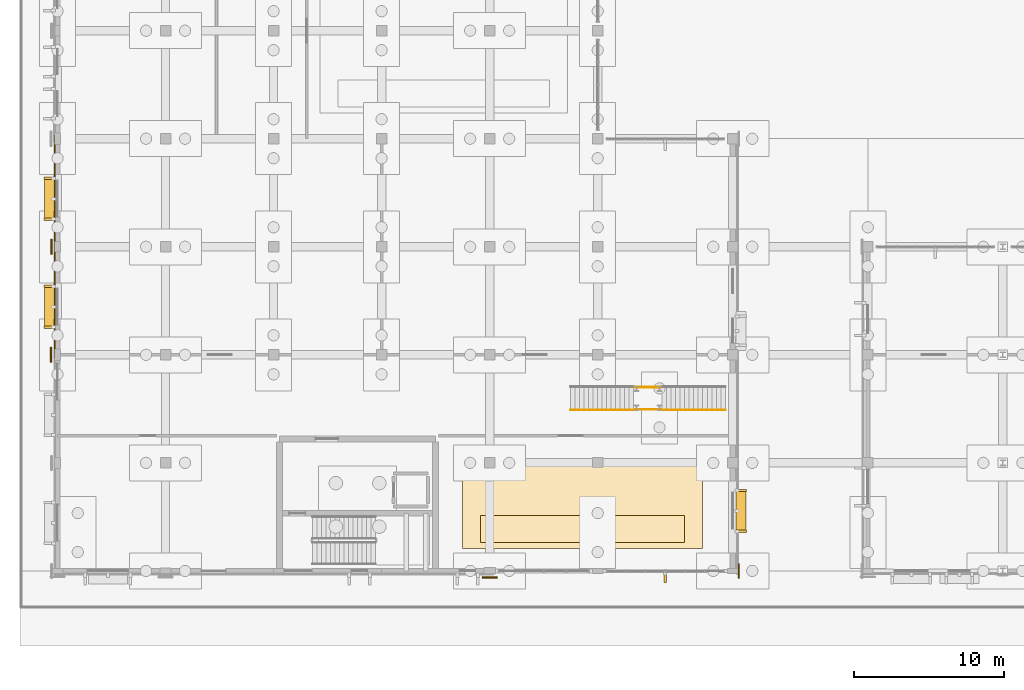
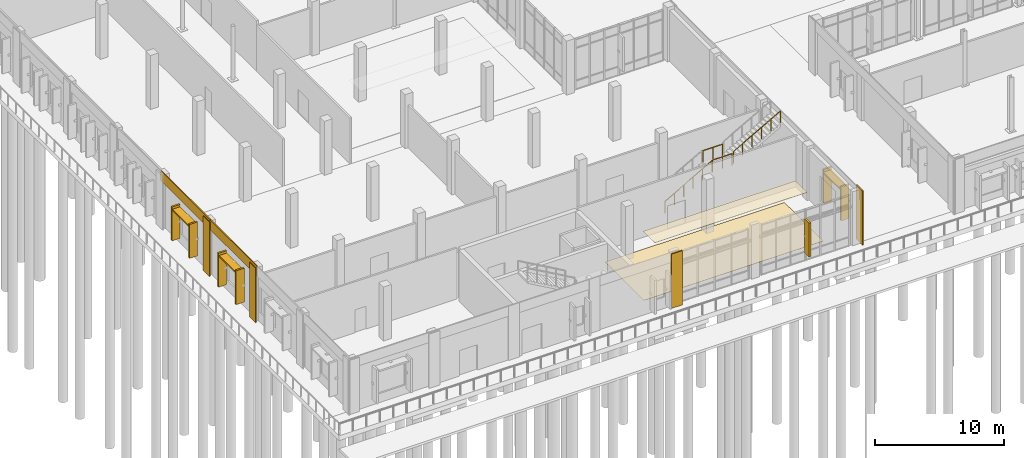
# One storey, part 79 of 94: 10 shading devices, 8 coverings, 4 railings.
"""IFC4 building model written with IfcOpenShell, lengths in metres."""

from ifc_helpers import new_model, si_unit, direction, frame, origin, origin_2d, place, context, subcontext, project, spatial, polyline, rectangle, circle, outline, extrude, material, layer, layer_set, type_object, element, save


model = new_model("IFC4")

# Units and contexts
model_context = context("Model", 3, precision=1e-05, world=origin(), true_north=direction((0.0, 1.0)))
body_context = subcontext(model_context, "Body", "Model", "MODEL_VIEW")
ifc_project = project(units=[si_unit("LENGTHUNIT", "METRE"), si_unit("AREAUNIT", "SQUARE_METRE"), si_unit("VOLUMEUNIT", "CUBIC_METRE"), si_unit("PLANEANGLEUNIT", "RADIAN"), si_unit("MASSUNIT", "GRAM", prefix="KILO")], contexts=[model_context])

# Site, building, storey
site_placement = place(None, origin())
site = spatial("IfcSite", under=ifc_project, at=site_placement, CompositionType="ELEMENT")
building_placement = place(site_placement, origin())
building = spatial("IfcBuilding", under=site, at=building_placement, Name="Vervanel Yard Central Library", CompositionType="ELEMENT")
storey_placement = place(building_placement, origin())
storey = spatial("IfcBuildingStorey", under=building, at=storey_placement, Name="L00", CompositionType="ELEMENT", Elevation=0.0)

# Coverings
ifc_material_1 = material(Name="Precast concrete C45/55", Category="concrete")
ifc_layer_1 = layer(ifc_material_1, 0.0849609375, Category="concrete")
ifc_layer_set_1 = layer_set([ifc_layer_1], Name="Precast concrete C45/55")
covering_type_1 = type_object("IfcCoveringType", Name="Bush-Hammered Precast Architectural Cladding Panel", PredefinedType="CLADDING", material=ifc_layer_set_1)
for number, where, z_axis, x_axis, name in (
    (1, (28.800048828125, -0.4326171875, 0.0), (0.0, 0.0, 1.0), (1.0, 0.0, 0.0), "L00 Precast Concrete Pier Pilaster EWALL-L00-0216-B"),
    (2, (-0.4326171875, 14.39990234375, 0.0), (0.0, 0.0, 1.0), (0.0, 1.0, 0.0), "L00 Precast Concrete Pier Pilaster EWALL-L00-0218-B"),
):
    element("IfcCovering", number, at=place(storey_placement, frame(where, z_axis=z_axis, x_axis=x_axis)), inside=storey, type_object=covering_type_1, Name=name, PredefinedType="CLADDING", context=body_context, shape_type="SweptSolid", body=[
        extrude(rectangle(XDim=0.97998046875, YDim=0.0849609375, at=origin_2d()), origin(), (0.0, 0.0, 1.0), 5.1201171875),
    ])
covering_1_placement = place(storey_placement, frame((-0.18994140625, 18.0, 4.179931640625), z_axis=(0.0, 0.0, 1.0), x_axis=(0.0, 1.0, 0.0)))
element("IfcCovering", 3, at=covering_1_placement, inside=storey, type_object=covering_type_1, Name="L00 Precast Concrete Spandrel Cornice EWALL-L00-0219", PredefinedType="CLADDING", context=body_context, shape_type="SweptSolid", body=[
    extrude(rectangle(XDim=7.64990234375, YDim=0.0849609375, at=origin_2d()), origin(), (0.0, 0.0, 1.0), 0.93994140625),
])
covering_2_placement = place(storey_placement, frame((-0.402587890625, 21.60009765625, 0.0), z_axis=(0.0, 0.0, 1.0), x_axis=(0.0, 1.0, 0.0)))
element("IfcCovering", 4, at=covering_2_placement, inside=storey, type_object=covering_type_1, Name="L00 Precast Concrete Pier Pilaster EWALL-L00-0219-B", PredefinedType="CLADDING", context=body_context, shape_type="SweptSolid", body=[
    extrude(rectangle(XDim=0.97998046875, YDim=0.0849609375, at=origin_2d()), origin(), (0.0, 0.0, 1.0), 5.1201171875),
])
covering_3_placement = place(storey_placement, frame((-0.18994140625, 25.199951171875, 4.179931640625), z_axis=(0.0, 0.0, 1.0), x_axis=(0.0, 1.0, 0.0)))
element("IfcCovering", 5, at=covering_3_placement, inside=storey, type_object=covering_type_1, Name="L00 Precast Concrete Spandrel Cornice EWALL-L00-0220", PredefinedType="CLADDING", context=body_context, shape_type="SweptSolid", body=[
    extrude(rectangle(XDim=7.64990234375, YDim=0.0849609375, at=origin_2d()), origin(), (0.0, 0.0, 1.0), 0.93994140625),
])
covering_4_placement = place(storey_placement, frame((45.392578125, 0.0, 0.0), z_axis=(0.0, 0.0, 1.0), x_axis=(0.0, 1.0, 0.0)))
element("IfcCovering", 6, at=covering_4_placement, inside=storey, type_object=covering_type_1, Name="L00 Precast Concrete Pier Pilaster EWALL-L00-0221-A", PredefinedType="CLADDING", context=body_context, shape_type="SweptSolid", body=[
    extrude(rectangle(XDim=0.97998046875, YDim=0.0849609375, at=origin_2d()), origin(), (0.0, 0.0, 1.0), 5.1201171875),
])

# Shading devices
shading_device_type_1 = type_object("IfcShadingDeviceType", Name="Horizontal Precast Brise-Soleil Sunhood 2600x680x140", PredefinedType="JALOUSIE", material=ifc_material_1)
for number, where, z_axis, x_axis, name in (
    (7, (-0.52001953125, 17.60009765625, 3.330078125), (0.0, 0.0, 1.0), (0.0, 1.0, 0.0), "L00 Precast Horizontal Sunhood 124"),
    (8, (-0.52001953125, 24.800048828125, 3.330078125), (0.0, 0.0, 1.0), (0.0, 1.0, 0.0), "L00 Precast Horizontal Sunhood 125"),
    (9, (45.5400390625, 4.0, 3.330078125), (0.0, 0.0, 1.0), (0.0, 1.0, 0.0), "L00 Precast Horizontal Sunhood 126"),
):
    element("IfcShadingDevice", number, at=place(storey_placement, frame(where, z_axis=z_axis, x_axis=x_axis)), inside=storey, type_object=shading_device_type_1, Name=name, PredefinedType="JALOUSIE", context=body_context, shape_type="SweptSolid", body=[
        extrude(rectangle(XDim=2.60009765625, YDim=0.679931640625, at=origin_2d()), origin(), (0.0, 0.0, 1.0), 0.139892578125),
    ])

# Railings
ifc_material_2 = material(Name="Galvanized painted steelwork ASTM A500 Grade C", Category="steel")
railing_type = type_object("IfcRailingType", Name="Painted Steel Guardrail 1100", PredefinedType="GUARDRAIL", material=ifc_material_2)
for number, where, name in (
    (10, (34.199951171875, 10.72509765625, 0.169921875), "L00 Feature Stair Guard FST-07-L00 F1 R"),
    (11, (40.300048828125, 10.72509765625, 2.719970703125), "L00 Feature Stair Guard FST-07-L00 F2 R"),
):
    element("IfcRailing", number, at=place(storey_placement, frame(where)), inside=storey, type_object=railing_type, Name=name, PredefinedType="GUARDRAIL", context=body_context, shape_type="SweptSolid", body=[
        extrude(circle(Radius=0.02392578125, at=origin_2d()), frame((0.0, 0.0, 1.076171875), z_axis=(0.870008446991, 0.0, 0.493036816236), x_axis=(0.0, 1.0, 0.0)), (0.0, 0.0, 1.0), 4.827392578125),
        extrude(circle(Radius=0.02099609375, at=origin_2d()), origin(), (0.0, 0.0, 1.0), 1.052001953125),
        extrude(circle(Radius=0.02099609375, at=origin_2d()), frame((0.840087890625, 0.0, 0.47607421875)), (0.0, 0.0, 1.0), 1.052001953125),
        extrude(circle(Radius=0.02099609375, at=origin_2d()), frame((1.679931640625, 0.0, 0.9521484375)), (0.0, 0.0, 1.0), 1.052001953125),
        extrude(circle(Radius=0.02099609375, at=origin_2d()), frame((2.52001953125, 0.0, 1.427978515625)), (0.0, 0.0, 1.0), 1.052001953125),
        extrude(circle(Radius=0.02099609375, at=origin_2d()), frame((3.35986328125, 0.0, 1.904052734375)), (0.0, 0.0, 1.0), 1.052001953125),
        extrude(circle(Radius=0.02099609375, at=origin_2d()), frame((4.199951171875, 0.0, 2.380126953125)), (0.0, 0.0, 1.0), 1.052001953125),
    ])
railing_1_placement = place(storey_placement, frame((38.47998046875, 10.764892578125, 2.550048828125)))
element("IfcRailing", 12, at=railing_1_placement, inside=storey, type_object=railing_type, Name="L00 Void Guard FST-07-L00-LDG1 S", PredefinedType="GUARDRAIL", context=body_context, shape_type="SweptSolid", body=[
    extrude(circle(Radius=0.02392578125, at=origin_2d()), frame((0.0, 0.0, 1.076171875), z_axis=(1.0, 0.0, 0.0), x_axis=(0.0, 1.0, 0.0)), (0.0, 0.0, 1.0), 1.739990234375),
    extrude(circle(Radius=0.02099609375, at=origin_2d()), origin(), (0.0, 0.0, 1.0), 1.052001953125),
    extrude(circle(Radius=0.02099609375, at=origin_2d()), frame((0.8701171875, 0.0, 0.0)), (0.0, 0.0, 1.0), 1.052001953125),
    extrude(circle(Radius=0.02099609375, at=origin_2d()), frame((1.739990234375, 0.0, 0.0)), (0.0, 0.0, 1.0), 1.052001953125),
])
railing_2_placement = place(storey_placement, frame((40.219970703125, 12.235107421875, 2.550048828125)))
element("IfcRailing", 13, at=railing_2_placement, inside=storey, type_object=railing_type, Name="L00 Void Guard FST-07-L00-LDG1 N", PredefinedType="GUARDRAIL", context=body_context, shape_type="SweptSolid", body=[
    extrude(circle(Radius=0.02392578125, at=origin_2d()), frame((0.0, 0.0, 1.076171875), z_axis=(-1.0, 0.0, 0.0), x_axis=(0.0, -1.0, 0.0)), (0.0, 0.0, 1.0), 1.739990234375),
    extrude(circle(Radius=0.02099609375, at=origin_2d()), origin(), (0.0, 0.0, 1.0), 1.052001953125),
    extrude(circle(Radius=0.02099609375, at=origin_2d()), frame((-0.8701171875, 0.0, 0.0)), (0.0, 0.0, 1.0), 1.052001953125),
    extrude(circle(Radius=0.02099609375, at=origin_2d()), frame((-1.739990234375, 0.0, 0.0)), (0.0, 0.0, 1.0), 1.052001953125),
])

# Coverings
ifc_material_3 = material(Name="Polished river-stone terrazzo flooring", Category="masonry")
ifc_layer_2 = layer(ifc_material_3, 0.02490234375, Category="masonry")
ifc_layer_set_2 = layer_set([ifc_layer_2], Name="Polished river-stone terrazzo flooring")
covering_type_2 = type_object("IfcCoveringType", Name="Polished River-Stone Terrazzo Flooring 25", PredefinedType="FLOORING", material=ifc_layer_set_2)
covering_5_placement = place(storey_placement, origin())
element("IfcCovering", 14, at=covering_5_placement, inside=storey, type_object=covering_type_2, Name="L00 Terrazzo Flooring Bay 5", PredefinedType="FLOORING", context=body_context, shape_type="SweptSolid", body=[
    extrude(outline(polyline([(27.0, 1.5), (43.0, 1.5), (43.0, 7.5), (27.0, 7.5), (27.0, 1.5)])), origin(), (0.0, 0.0, 1.0), 0.02490234375),
])
ifc_material_4 = material(Name="Perforated mineral-fibre acoustic ceiling", Category="gypsum")
ifc_layer_3 = layer(ifc_material_4, 0.034912109375, Category="gypsum")
ifc_layer_set_3 = layer_set([ifc_layer_3], Name="Perforated mineral-fibre acoustic ceiling")
covering_type_3 = type_object("IfcCoveringType", Name="Suspended Mineral Acoustic Ceiling 35", PredefinedType="CEILING", material=ifc_layer_set_3)
covering_6_placement = place(storey_placement, frame((0.0, 0.0, 4.764892578125)))
element("IfcCovering", 15, at=covering_6_placement, inside=storey, type_object=covering_type_3, Name="L00 Acoustic Ceiling Bay 5", PredefinedType="CEILING", context=body_context, shape_type="SweptSolid", body=[
    extrude(outline(polyline([(28.199951171875, 1.89990234375), (41.800048828125, 1.89990234375), (41.800048828125, 3.699951171875), (28.199951171875, 3.699951171875), (28.199951171875, 1.89990234375)])), origin(), (0.0, 0.0, 1.0), 0.03515625),
])

# Shading devices
shading_device_type_2 = type_object("IfcShadingDeviceType", Name="Vertical Precast Solar Fin 160x720x3200", PredefinedType="JALOUSIE", material=ifc_material_1)
for number, where, z_axis, x_axis, name in (
    (16, (40.5, -0.409912109375, 0.7900390625), (0.0, 0.0, 1.0), (1.0, 0.0, 0.0), "L00 Precast Solar Fin 620"),
    (17, (-0.550048828125, 16.239990234375, 0.5), (0.0, 0.0, 1.0), (0.0, 1.0, 0.0), "L00 Precast Solar Fin 625"),
    (18, (-0.550048828125, 18.9599609375, 0.5), (0.0, 0.0, 1.0), (0.0, 1.0, 0.0), "L00 Precast Solar Fin 626"),
    (19, (-0.550048828125, 23.43994140625, 0.5), (0.0, 0.0, 1.0), (0.0, 1.0, 0.0), "L00 Precast Solar Fin 627"),
    (20, (-0.550048828125, 26.159912109375, 0.5), (0.0, 0.0, 1.0), (0.0, 1.0, 0.0), "L00 Precast Solar Fin 628"),
    (21, (45.570068359375, 2.639892578125, 0.5), (0.0, 0.0, 1.0), (0.0, 1.0, 0.0), "L00 Precast Solar Fin 629"),
    (22, (45.570068359375, 5.360107421875, 0.5), (0.0, 0.0, 1.0), (0.0, 1.0, 0.0), "L00 Precast Solar Fin 630"),
):
    element("IfcShadingDevice", number, at=place(storey_placement, frame(where, z_axis=z_axis, x_axis=x_axis)), inside=storey, type_object=shading_device_type_2, Name=name, PredefinedType="JALOUSIE", context=body_context, shape_type="SweptSolid", body=[
        extrude(rectangle(XDim=0.159912109375, YDim=0.719970703125, at=origin_2d()), origin(), (0.0, 0.0, 1.0), 3.199951171875),
    ])

save(model, "model.ifc")
